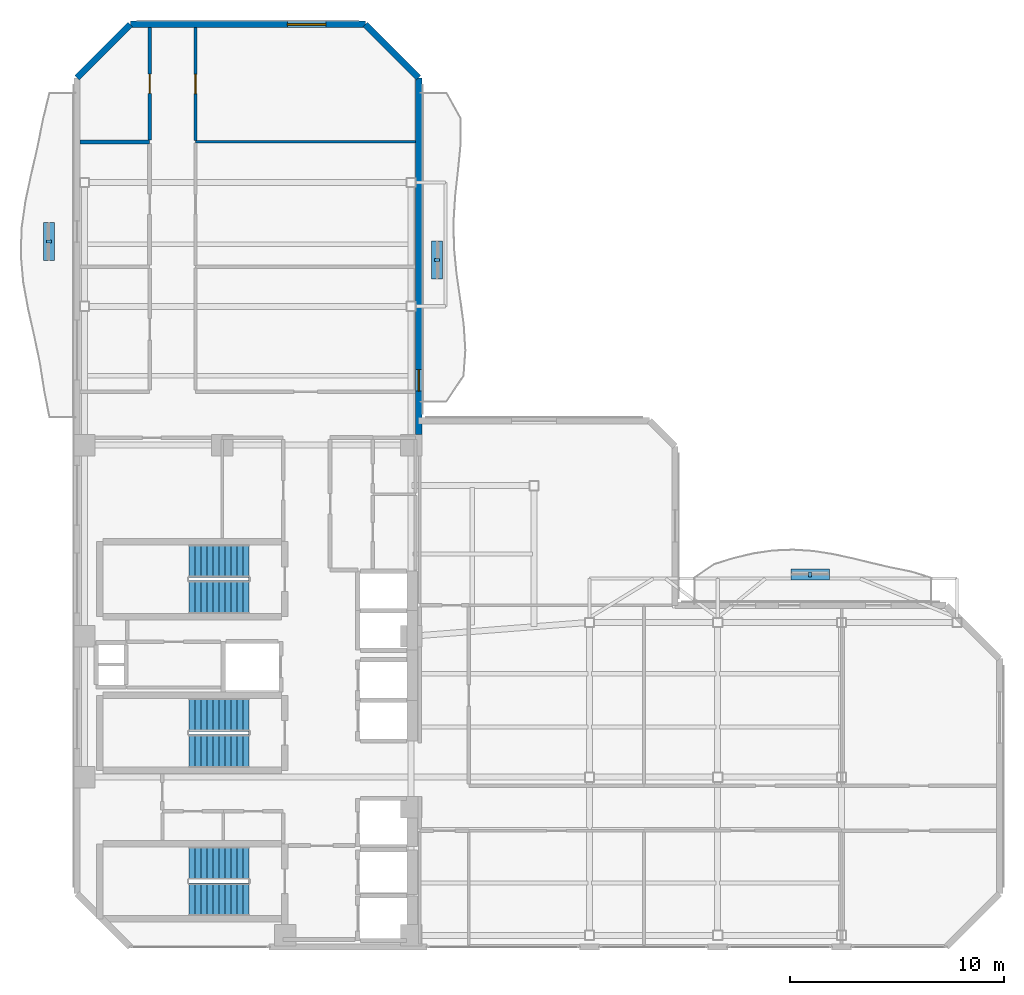
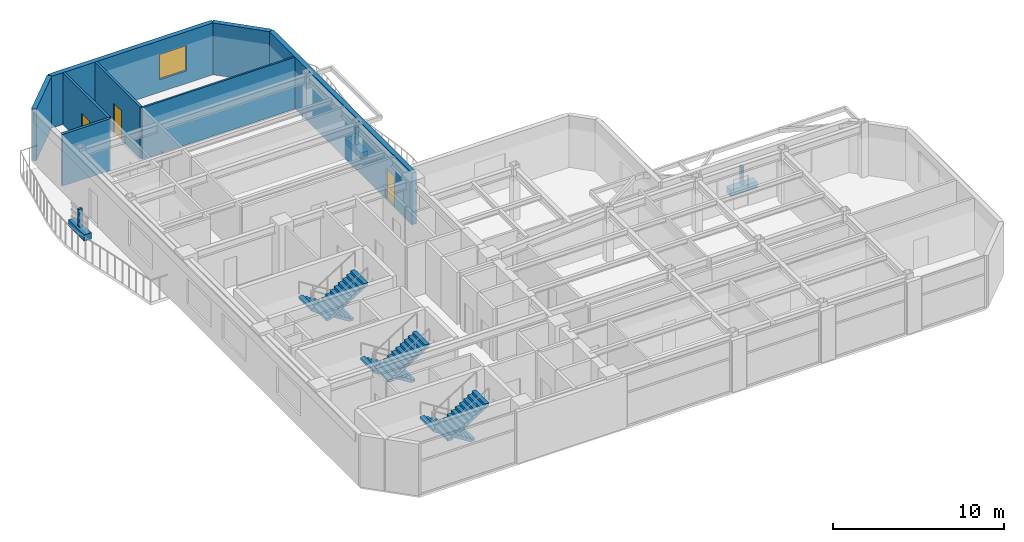
# One storey, part 12 of 17: 8 walls, 6 discrete accessories, 6 stair flights, 3 doors, 1 window, 4 openings, 3 elements without a shape of their own.
"""IFC4 building model written with IfcOpenShell, lengths in metres."""

from ifc_helpers import new_model, si_unit, direction, frame, frame_2d, origin, origin_2d, place, context, subcontext, project, spatial, polyline, rectangle, outline, extrude, material, layer, layer_set, type_object, element, fill, aggregate, save


model = new_model("IFC4")

# Units and contexts
model_context = context("Model", 3, precision=1e-05, world=origin(), true_north=direction((0.0, 1.0)))
body_context = subcontext(model_context, "Body", "Model", "MODEL_VIEW")
ifc_project = project(units=[si_unit("LENGTHUNIT", "METRE"), si_unit("AREAUNIT", "SQUARE_METRE"), si_unit("VOLUMEUNIT", "CUBIC_METRE"), si_unit("PLANEANGLEUNIT", "RADIAN"), si_unit("MASSUNIT", "GRAM", prefix="KILO")], contexts=[model_context])

# Site, building, storey
site_placement = place(None, origin())
site = spatial("IfcSite", under=ifc_project, at=site_placement, CompositionType="ELEMENT")
building_placement = place(site_placement, origin())
building = spatial("IfcBuilding", under=site, at=building_placement, Name="Mawjaban Terraces University", CompositionType="ELEMENT")
storey_placement = place(building_placement, frame((0.0, 0.0, 183.60009765625)))
storey = spatial("IfcBuildingStorey", under=building, at=storey_placement, Name="L44", CompositionType="ELEMENT", Elevation=183.60009765625)

# Wall
ifc_material_1 = material(Name="Acoustic masonry blockwork", Category="masonry")
ifc_layer_1 = layer(ifc_material_1, 0.179931640625)
ifc_layer_set_1 = layer_set([ifc_layer_1], Name="Acoustic masonry blockwork")
wall_type_1 = type_object("IfcWallType", Name="AcousticStudioWall_180", PredefinedType="PARTITIONING", material=ifc_layer_set_1)
wall_1_placement = place(storey_placement, frame((25.39990234375, 37.699951171875, 0.0), z_axis=(0.0, 0.0, 1.0), x_axis=(-1.0, 0.0, 0.0)))
element("IfcWall", 1, at=wall_1_placement, inside=storey, type_object=wall_type_1, Name="L44 Design Studio 10 Partition 5", PredefinedType="PARTITIONING", context=body_context, shape_type="SweptSolid", body=[
    extrude(rectangle(XDim=3.2548828125, YDim=0.179931640625, at=frame_2d((1.62744140625, 0.0))), origin(), (0.0, 0.0, 1.0), 3.68994140625),
])

# Wall, opening, door
ifc_material_2 = material(Name="Fire-rated gypsum board on steel stud", Category="steel")
ifc_layer_2 = layer(ifc_material_2, 0.159912109375)
ifc_layer_set_2 = layer_set([ifc_layer_2], Name="Fire-rated gypsum board on steel stud")
wall_type_2 = type_object("IfcWallType", Name="CorridorPartition_160", PredefinedType="PARTITIONING", material=ifc_layer_set_2)
wall_2_placement = place(storey_placement, frame((25.39990234375, 43.054931640625, 0.0), z_axis=(0.0, 0.0, 1.0), x_axis=(0.0, -1.0, 0.0)))
wall_2 = element("IfcWall", 2, at=wall_2_placement, inside=storey, type_object=wall_type_2, Name="L44 West Shifted Academic Corridor Partition 32", PredefinedType="PARTITIONING", context=body_context, shape_type="SweptSolid", body=[
    extrude(rectangle(XDim=5.27001953125, YDim=0.159912109375, at=frame_2d((2.635009765625, 0.0))), origin(), (0.0, 0.0, 1.0), 3.68994140625),
])
opening_1_placement = place(wall_2_placement, frame((2.18505859375, 0.0, 0.0)))
opening_1 = element("IfcOpeningElement", 3, at=opening_1_placement, cuts=wall_2, Name="Opening ID-090", PredefinedType="OPENING", context=body_context, shape_type="SweptSolid", body=[
    extrude(rectangle(XDim=0.89990234375, YDim=2.10009765625, at=frame_2d((0.449951171875, 1.050048828125))), frame((0.0, 0.08984375, 0.0), z_axis=(0.0, -1.0, 0.0), x_axis=(1.0, 0.0, 0.0)), (0.0, 0.0, 1.0), 0.179931640625),
])
ifc_material_3 = material(Name="Powder-coated steel frame and solid acoustic timber leaf", Category="steel")
door_type_1 = type_object("IfcDoorType", Name="OfficeDoor_900x2100", OperationType="NOTDEFINED", PredefinedType="DOOR", material=ifc_material_3)
door_1_placement = place(opening_1_placement, origin())
door_1 = element("IfcDoor", 4, at=door_1_placement, inside=storey, type_object=door_type_1, Name="L44 Quiet Reading Room 12 Door", OperationType="SINGLE_SWING_LEFT", OverallHeight=2.10009765625, OverallWidth=0.89990234375, PredefinedType="DOOR", context=body_context, shape_type="SweptSolid", body=[
    extrude(rectangle(XDim=0.89990234375, YDim=2.10009765625, at=frame_2d((0.449951171875, 1.050048828125))), frame((0.0, 0.02490234375, 0.0), z_axis=(0.0, -1.0, 0.0), x_axis=(1.0, 0.0, 0.0)), (0.0, 0.0, 1.0), 0.050048828125),
])
fill(opening_1, door_1)

wall_3_placement = place(storey_placement, frame((27.550048828125, 37.758056640625, 0.0), z_axis=(0.0, 0.0, 1.0), x_axis=(0.0, 1.0, 0.0)))
wall_3 = element("IfcWall", 5, at=wall_3_placement, inside=storey, type_object=wall_type_2, Name="L44 West Shifted Academic Corridor Partition 37", PredefinedType="PARTITIONING", context=body_context, shape_type="SweptSolid", body=[
    extrude(rectangle(XDim=5.296875, YDim=0.159912109375, at=frame_2d((2.6484375, 0.0))), origin(), (0.0, 0.0, 1.0), 3.68994140625),
])
opening_2_placement = place(wall_3_placement, frame((2.197998046875, 0.0, 0.0)))
opening_2 = element("IfcOpeningElement", 6, at=opening_2_placement, cuts=wall_3, Name="Opening ID-090", PredefinedType="OPENING", context=body_context, shape_type="SweptSolid", body=[
    extrude(rectangle(XDim=0.89990234375, YDim=2.10009765625, at=frame_2d((0.449951171875, 1.050048828125))), frame((0.0, 0.08984375, 0.0), z_axis=(0.0, -1.0, 0.0), x_axis=(1.0, 0.0, 0.0)), (0.0, 0.0, 1.0), 0.179931640625),
])
door_2_placement = place(opening_2_placement, origin())
door_2 = element("IfcDoor", 7, at=door_2_placement, inside=storey, type_object=door_type_1, Name="L44 Collaborative Study Room 13 Door", OperationType="SINGLE_SWING_RIGHT", OverallHeight=2.10009765625, OverallWidth=0.89990234375, PredefinedType="DOOR", context=body_context, shape_type="SweptSolid", body=[
    extrude(rectangle(XDim=0.89990234375, YDim=2.10009765625, at=frame_2d((0.449951171875, 1.050048828125))), frame((0.0, 0.02490234375, 0.0), z_axis=(0.0, -1.0, 0.0), x_axis=(1.0, 0.0, 0.0)), (0.0, 0.0, 1.0), 0.050048828125),
])
fill(opening_2, door_2)

ifc_material_4 = material(Name="Insulated terracotta rainscreen on concrete backup C40/50", Category="masonry")
ifc_layer_3 = layer(ifc_material_4, 0.300048828125)
ifc_layer_set_3 = layer_set([ifc_layer_3], Name="Insulated terracotta rainscreen on concrete backup C40/50")
wall_type_3 = type_object("IfcWallType", Name="ExtTerracottaWall_300", PredefinedType="SOLIDWALL", material=ifc_layer_set_3)
wall_4_placement = place(storey_placement, frame((38.0, 24.0, 0.0), z_axis=(0.0, 0.0, 1.0), x_axis=(0.0, 1.0, 0.0)))
wall_4 = element("IfcWall", 8, at=wall_4_placement, inside=storey, type_object=wall_type_3, Name="L44 Exterior Terracotta Wall 9", PredefinedType="SOLIDWALL", context=body_context, shape_type="SweptSolid", body=[
    extrude(rectangle(XDim=16.699951171875, YDim=0.300048828125, at=frame_2d((8.35009765625, 0.0))), origin(), (0.0, 0.0, 1.0), 3.68994140625),
])
opening_3_placement = place(wall_4_placement, frame((2.030029296875, 0.0, 0.0)))
opening_3 = element("IfcOpeningElement", 9, at=opening_3_placement, cuts=wall_4, Name="Opening BD-100", PredefinedType="OPENING", context=body_context, shape_type="SweptSolid", body=[
    extrude(rectangle(XDim=1.0, YDim=2.199951171875, at=frame_2d((0.5, 1.10009765625))), frame((0.0, 0.159912109375, 0.0), z_axis=(0.0, -1.0, 0.0), x_axis=(1.0, 0.0, 0.0)), (0.0, 0.0, 1.0), 0.320068359375),
])
ifc_material_5 = material(Name="Thermally broken anodised aluminium and laminated safety glass", Category="aluminium")
door_type_2 = type_object("IfcDoorType", Name="BalconyGlazedDoor_1000x2200", OperationType="NOTDEFINED", PredefinedType="DOOR", material=ifc_material_5)
door_3_placement = place(opening_3_placement, origin())
door_3 = element("IfcDoor", 10, at=door_3_placement, inside=storey, type_object=door_type_2, Name="L44 Balcony Access Door inner_east", OperationType="SINGLE_SWING_LEFT", OverallHeight=2.199951171875, OverallWidth=1.0, PredefinedType="DOOR", context=body_context, shape_type="SweptSolid", body=[
    extrude(rectangle(XDim=1.0, YDim=2.199951171875, at=frame_2d((0.5, 1.10009765625))), frame((0.0, 0.02490234375, 0.0), z_axis=(0.0, -1.0, 0.0), x_axis=(1.0, 0.0, 0.0)), (0.0, 0.0, 1.0), 0.050048828125),
])
fill(opening_3, door_3)

# Wall
wall_5_placement = place(storey_placement, frame((38.0, 40.699951171875, 0.0), z_axis=(0.0, 0.0, 1.0), x_axis=(-0.707106781187, 0.707106781187, 0.0)))
element("IfcWall", 11, at=wall_5_placement, inside=storey, type_object=wall_type_3, Name="L44 Exterior Terracotta Wall 10", PredefinedType="SOLIDWALL", context=body_context, shape_type="SweptSolid", body=[
    extrude(rectangle(XDim=3.53564453125, YDim=0.300048828125, at=frame_2d((1.767822265625, 0.0))), origin(), (0.0, 0.0, 1.0), 3.68994140625),
])

# Wall, opening, window
wall_6_placement = place(storey_placement, frame((35.5, 43.199951171875, 0.0), z_axis=(0.0, 0.0, 1.0), x_axis=(-1.0, 0.0, 0.0)))
wall_6 = element("IfcWall", 12, at=wall_6_placement, inside=storey, type_object=wall_type_3, Name="L44 Exterior Terracotta Wall 11", PredefinedType="SOLIDWALL", context=body_context, shape_type="SweptSolid", body=[
    extrude(rectangle(XDim=11.0, YDim=0.300048828125, at=frame_2d((5.5, 0.0))), origin(), (0.0, 0.0, 1.0), 3.68994140625),
])
opening_4_placement = place(wall_6_placement, frame((1.85009765625, 0.0, 0.89990234375)))
opening_4 = element("IfcOpeningElement", 13, at=opening_4_placement, cuts=wall_6, Name="Opening W-07", PredefinedType="OPENING", context=body_context, shape_type="SweptSolid", body=[
    extrude(rectangle(XDim=1.800048828125, YDim=1.800048828125, at=frame_2d((0.89990234375, 0.89990234375))), frame((0.0, 0.159912109375, 0.0), z_axis=(0.0, -1.0, 0.0), x_axis=(1.0, 0.0, 0.0)), (0.0, 0.0, 1.0), 0.320068359375),
])
ifc_material_6 = material(Name="Low-E solar-control double glazing in thermally broken aluminium frame", Category="aluminium")
window_type = type_object("IfcWindowType", Name="Win_1800x1800", PartitioningType="SINGLE_PANEL", PredefinedType="WINDOW", material=ifc_material_6)
window_placement = place(opening_4_placement, origin())
window = element("IfcWindow", 14, at=window_placement, inside=storey, type_object=window_type, Name="L44 Facade Window 11.1", OverallHeight=1.800048828125, OverallWidth=1.800048828125, PartitioningType="SINGLE_PANEL", PredefinedType="WINDOW", context=body_context, shape_type="SweptSolid", body=[
    extrude(rectangle(XDim=1.800048828125, YDim=1.800048828125, at=frame_2d((0.89990234375, 0.89990234375))), frame((0.0, 0.030029296875, 0.0), z_axis=(0.0, -1.0, 0.0), x_axis=(1.0, 0.0, 0.0)), (0.0, 0.0, 1.0), 0.06005859375),
])
fill(opening_4, window)

# Walls
wall_7_placement = place(storey_placement, frame((24.5, 43.199951171875, 0.0), z_axis=(0.0, 0.0, 1.0), x_axis=(-0.707106781187, -0.707106781187, 0.0)))
element("IfcWall", 15, at=wall_7_placement, inside=storey, type_object=wall_type_3, Name="L44 Exterior Terracotta Wall 12", PredefinedType="SOLIDWALL", context=body_context, shape_type="SweptSolid", body=[
    extrude(rectangle(XDim=3.53564453125, YDim=0.300048828125, at=frame_2d((1.767822265625, 0.0))), origin(), (0.0, 0.0, 1.0), 3.68994140625),
])
ifc_material_7 = material(Name="Gypsum plasterboard on steel stud", Category="steel")
ifc_layer_4 = layer(ifc_material_7, 0.125)
ifc_layer_set_4 = layer_set([ifc_layer_4], Name="Gypsum plasterboard on steel stud")
wall_type_4 = type_object("IfcWallType", Name="OfficePartition_125", PredefinedType="PARTITIONING", material=ifc_layer_set_4)
wall_8_placement = place(storey_placement, frame((37.85009765625, 37.699951171875, 0.0), z_axis=(0.0, 0.0, 1.0), x_axis=(-1.0, 0.0, 0.0)))
element("IfcWall", 16, at=wall_8_placement, inside=storey, type_object=wall_type_4, Name="L44 Faculty Office 11 Partition 18", PredefinedType="PARTITIONING", context=body_context, shape_type="SweptSolid", body=[
    extrude(rectangle(XDim=10.300048828125, YDim=0.125, at=frame_2d((5.14990234375, 0.0))), origin(), (0.0, 0.0, 1.0), 3.68994140625),
])

# Stair, stair flights
ifc_material_8 = material(Name="Concrete C40/50", Category="concrete")
stair_type = type_object("IfcStairType", Name="Stair_Core1550_H39", PredefinedType="HALF_TURN_STAIR", material=ifc_material_8)
stair_1_placement = place(storey_placement, origin())
stair_1 = element("IfcStair", 17, at=stair_1_placement, inside=storey, type_object=stair_type, Name="L44 Core Exit Stair 1", PredefinedType="HALF_TURN_STAIR")
stair_flight_type = type_object("IfcStairFlightType", Name="Flight_Core1550_H39", PredefinedType="STRAIGHT", material=ifc_material_8)
stair_flight_1_placement = place(storey_placement, frame((30.050048828125, 3.925048828125, 0.0), z_axis=(0.0, 0.0, 1.0), x_axis=(-1.0, 0.0, 0.0)))
stair_flight_1 = element("IfcStairFlight", 18, at=stair_flight_1_placement, type_object=stair_flight_type, Name="ST-1 flight 1", NumberOfRisers=11, NumberOfTreads=10, PredefinedType="STRAIGHT", RiserHeight=0.177272727, TreadLength=0.28, context=body_context, shape_type="SweptSolid", body=[
    extrude(outline(polyline([(0.0, 0.0), (0.0, 0.17724609375), (0.280029296875, 0.17724609375), (0.280029296875, 0.3544921875), (0.56005859375, 0.3544921875), (0.56005859375, 0.53173828125), (0.840087890625, 0.53173828125), (0.840087890625, 0.708984375), (1.1201171875, 0.708984375), (1.1201171875, 0.886474609375), (1.39990234375, 0.886474609375), (1.39990234375, 1.063720703125), (1.679931640625, 1.063720703125), (1.679931640625, 1.240966796875), (1.9599609375, 1.240966796875), (1.9599609375, 1.418212890625), (2.239990234375, 1.418212890625), (2.239990234375, 1.595458984375), (2.52001953125, 1.595458984375), (2.52001953125, 1.772705078125), (2.800048828125, 1.772705078125), (2.800048828125, 1.949951171875), (2.800048828125, 1.59521484375), (0.2802734375, 0.0), (0.0, 0.0)])), frame((0.0, 0.77490234375, 0.0), z_axis=(0.0, -1.0, 0.0), x_axis=(1.0, 0.0, 0.0)), (0.0, 0.0, 1.0), 1.550048828125),
])
stair_flight_2_placement = place(storey_placement, frame((27.25, 2.22509765625, 1.949951171875), z_axis=(0.0, 0.0, 1.0), x_axis=(1.0, 0.0, 0.0)))
stair_flight_2 = element("IfcStairFlight", 19, at=stair_flight_2_placement, type_object=stair_flight_type, Name="ST-1 flight 2", NumberOfRisers=11, NumberOfTreads=10, PredefinedType="STRAIGHT", RiserHeight=0.177272727, TreadLength=0.28, context=body_context, shape_type="SweptSolid", body=[
    extrude(outline(polyline([(0.0, 0.0), (0.0, 0.17724609375), (0.280029296875, 0.17724609375), (0.280029296875, 0.3544921875), (0.56005859375, 0.3544921875), (0.56005859375, 0.53173828125), (0.840087890625, 0.53173828125), (0.840087890625, 0.708984375), (1.1201171875, 0.708984375), (1.1201171875, 0.886474609375), (1.39990234375, 0.886474609375), (1.39990234375, 1.063720703125), (1.679931640625, 1.063720703125), (1.679931640625, 1.240966796875), (1.9599609375, 1.240966796875), (1.9599609375, 1.418212890625), (2.239990234375, 1.418212890625), (2.239990234375, 1.595458984375), (2.52001953125, 1.595458984375), (2.52001953125, 1.772705078125), (2.800048828125, 1.772705078125), (2.800048828125, 1.949951171875), (2.800048828125, 1.59521484375), (0.2802734375, 0.0), (0.0, 0.0)])), frame((0.0, 0.77490234375, 0.0), z_axis=(0.0, -1.0, 0.0), x_axis=(1.0, 0.0, 0.0)), (0.0, 0.0, 1.0), 1.550048828125),
])
aggregate(stair_1, [stair_flight_1, stair_flight_2])

stair_2_placement = place(storey_placement, origin())
stair_2 = element("IfcStair", 20, at=stair_2_placement, inside=storey, type_object=stair_type, Name="L44 Core Exit Stair 2", PredefinedType="HALF_TURN_STAIR")
stair_flight_3_placement = place(storey_placement, frame((30.050048828125, 18.074951171875, 0.0), z_axis=(0.0, 0.0, 1.0), x_axis=(-1.0, 0.0, 0.0)))
stair_flight_3 = element("IfcStairFlight", 21, at=stair_flight_3_placement, type_object=stair_flight_type, Name="ST-2 flight 1", NumberOfRisers=11, NumberOfTreads=10, PredefinedType="STRAIGHT", RiserHeight=0.177272727, TreadLength=0.28, context=body_context, shape_type="SweptSolid", body=[
    extrude(outline(polyline([(0.0, 0.0), (0.0, 0.17724609375), (0.280029296875, 0.17724609375), (0.280029296875, 0.3544921875), (0.56005859375, 0.3544921875), (0.56005859375, 0.53173828125), (0.840087890625, 0.53173828125), (0.840087890625, 0.708984375), (1.1201171875, 0.708984375), (1.1201171875, 0.886474609375), (1.39990234375, 0.886474609375), (1.39990234375, 1.063720703125), (1.679931640625, 1.063720703125), (1.679931640625, 1.240966796875), (1.9599609375, 1.240966796875), (1.9599609375, 1.418212890625), (2.239990234375, 1.418212890625), (2.239990234375, 1.595458984375), (2.52001953125, 1.595458984375), (2.52001953125, 1.772705078125), (2.800048828125, 1.772705078125), (2.800048828125, 1.949951171875), (2.800048828125, 1.59521484375), (0.2802734375, 0.0), (0.0, 0.0)])), frame((0.0, 0.77490234375, 0.0), z_axis=(0.0, -1.0, 0.0), x_axis=(1.0, 0.0, 0.0)), (0.0, 0.0, 1.0), 1.550048828125),
])
stair_flight_4_placement = place(storey_placement, frame((27.25, 16.375, 1.949951171875), z_axis=(0.0, 0.0, 1.0), x_axis=(1.0, 0.0, 0.0)))
stair_flight_4 = element("IfcStairFlight", 22, at=stair_flight_4_placement, type_object=stair_flight_type, Name="ST-2 flight 2", NumberOfRisers=11, NumberOfTreads=10, PredefinedType="STRAIGHT", RiserHeight=0.177272727, TreadLength=0.28, context=body_context, shape_type="SweptSolid", body=[
    extrude(outline(polyline([(0.0, 0.0), (0.0, 0.17724609375), (0.280029296875, 0.17724609375), (0.280029296875, 0.3544921875), (0.56005859375, 0.3544921875), (0.56005859375, 0.53173828125), (0.840087890625, 0.53173828125), (0.840087890625, 0.708984375), (1.1201171875, 0.708984375), (1.1201171875, 0.886474609375), (1.39990234375, 0.886474609375), (1.39990234375, 1.063720703125), (1.679931640625, 1.063720703125), (1.679931640625, 1.240966796875), (1.9599609375, 1.240966796875), (1.9599609375, 1.418212890625), (2.239990234375, 1.418212890625), (2.239990234375, 1.595458984375), (2.52001953125, 1.595458984375), (2.52001953125, 1.772705078125), (2.800048828125, 1.772705078125), (2.800048828125, 1.949951171875), (2.800048828125, 1.59521484375), (0.2802734375, 0.0), (0.0, 0.0)])), frame((0.0, 0.77490234375, 0.0), z_axis=(0.0, -1.0, 0.0), x_axis=(1.0, 0.0, 0.0)), (0.0, 0.0, 1.0), 1.550048828125),
])
aggregate(stair_2, [stair_flight_3, stair_flight_4])

stair_3_placement = place(storey_placement, origin())
stair_3 = element("IfcStair", 23, at=stair_3_placement, inside=storey, type_object=stair_type, Name="L44 Core Exit Stair 3", PredefinedType="HALF_TURN_STAIR")
stair_flight_5_placement = place(storey_placement, frame((30.050048828125, 10.875, 0.0), z_axis=(0.0, 0.0, 1.0), x_axis=(-1.0, 0.0, 0.0)))
stair_flight_5 = element("IfcStairFlight", 24, at=stair_flight_5_placement, type_object=stair_flight_type, Name="ST-3 flight 1", NumberOfRisers=11, NumberOfTreads=10, PredefinedType="STRAIGHT", RiserHeight=0.177272727, TreadLength=0.28, context=body_context, shape_type="SweptSolid", body=[
    extrude(outline(polyline([(0.0, 0.0), (0.0, 0.17724609375), (0.280029296875, 0.17724609375), (0.280029296875, 0.3544921875), (0.56005859375, 0.3544921875), (0.56005859375, 0.53173828125), (0.840087890625, 0.53173828125), (0.840087890625, 0.708984375), (1.1201171875, 0.708984375), (1.1201171875, 0.886474609375), (1.39990234375, 0.886474609375), (1.39990234375, 1.063720703125), (1.679931640625, 1.063720703125), (1.679931640625, 1.240966796875), (1.9599609375, 1.240966796875), (1.9599609375, 1.418212890625), (2.239990234375, 1.418212890625), (2.239990234375, 1.595458984375), (2.52001953125, 1.595458984375), (2.52001953125, 1.772705078125), (2.800048828125, 1.772705078125), (2.800048828125, 1.949951171875), (2.800048828125, 1.59521484375), (0.2802734375, 0.0), (0.0, 0.0)])), frame((0.0, 0.77490234375, 0.0), z_axis=(0.0, -1.0, 0.0), x_axis=(1.0, 0.0, 0.0)), (0.0, 0.0, 1.0), 1.550048828125),
])
stair_flight_6_placement = place(storey_placement, frame((27.25, 9.175048828125, 1.949951171875), z_axis=(0.0, 0.0, 1.0), x_axis=(1.0, 0.0, 0.0)))
stair_flight_6 = element("IfcStairFlight", 25, at=stair_flight_6_placement, type_object=stair_flight_type, Name="ST-3 flight 2", NumberOfRisers=11, NumberOfTreads=10, PredefinedType="STRAIGHT", RiserHeight=0.177272727, TreadLength=0.28, context=body_context, shape_type="SweptSolid", body=[
    extrude(outline(polyline([(0.0, 0.0), (0.0, 0.17724609375), (0.280029296875, 0.17724609375), (0.280029296875, 0.3544921875), (0.56005859375, 0.3544921875), (0.56005859375, 0.53173828125), (0.840087890625, 0.53173828125), (0.840087890625, 0.708984375), (1.1201171875, 0.708984375), (1.1201171875, 0.886474609375), (1.39990234375, 0.886474609375), (1.39990234375, 1.063720703125), (1.679931640625, 1.063720703125), (1.679931640625, 1.240966796875), (1.9599609375, 1.240966796875), (1.9599609375, 1.418212890625), (2.239990234375, 1.418212890625), (2.239990234375, 1.595458984375), (2.52001953125, 1.595458984375), (2.52001953125, 1.772705078125), (2.800048828125, 1.772705078125), (2.800048828125, 1.949951171875), (2.800048828125, 1.59521484375), (0.2802734375, 0.0), (0.0, 0.0)])), frame((0.0, 0.77490234375, 0.0), z_axis=(0.0, -1.0, 0.0), x_axis=(1.0, 0.0, 0.0)), (0.0, 0.0, 1.0), 1.550048828125),
])
aggregate(stair_3, [stair_flight_5, stair_flight_6])

# Discrete accessories
ifc_material_9 = material(Name="Stainless steel 316L", Category="steel")
discrete_accessory_type_1 = type_object("IfcDiscreteAccessoryType", Name="FacadeScreenBracket_Steel", PredefinedType="BRACKET", material=ifc_material_9)
for number, where, z_axis, x_axis, name in (
    (26, (20.693115234375, 33.033935546875, 0.419921875), (0.0, 0.0, 1.0), (0.0, 1.0, 0.0), "L44 Balcony Screen Support Bracket west"),
    (27, (56.322998046875, 17.444091796875, 0.419921875), (0.0, 0.0, 1.0), (1.0, 0.0, 0.0), "L44 Balcony Screen Support Bracket inner_north"),
    (28, (38.85400390625, 32.16796875, 0.419921875), (0.0, 0.0, 1.0), (0.0, 1.0, 0.0), "L44 Balcony Screen Support Bracket inner_east"),
):
    element("IfcDiscreteAccessory", number, at=place(storey_placement, frame(where, z_axis=z_axis, x_axis=x_axis)), inside=storey, type_object=discrete_accessory_type_1, Name=name, PredefinedType="BRACKET", context=body_context, shape_type="SweptSolid", body=[
        extrude(rectangle(XDim=0.159912109375, YDim=0.239990234375, at=origin_2d()), origin(), (0.0, 0.0, 1.0), 1.300048828125),
    ])
ifc_material_10 = material(Name="Precast architectural terracotta planter with engineered planting soil", Category="masonry")
discrete_accessory_type_2 = type_object("IfcDiscreteAccessoryType", Name="IrrigatedPlanterTrough_450", PredefinedType="USERDEFINED", material=ifc_material_10)
for number, where, z_axis, x_axis, name in (
    (29, (20.693115234375, 33.033935546875, -0.0048828125), (0.0, 0.0, 1.0), (0.0, 1.0, 0.0), "L44 Balcony Irrigated Planter west"),
    (30, (56.322998046875, 17.444091796875, -0.0048828125), (0.0, 0.0, 1.0), (1.0, 0.0, 0.0), "L44 Balcony Irrigated Planter inner_north"),
    (31, (38.85400390625, 32.16796875, -0.0048828125), (0.0, 0.0, 1.0), (0.0, 1.0, 0.0), "L44 Balcony Irrigated Planter inner_east"),
):
    element("IfcDiscreteAccessory", number, at=place(storey_placement, frame(where, z_axis=z_axis, x_axis=x_axis)), inside=storey, type_object=discrete_accessory_type_2, Name=name, ObjectType="PLANTER", PredefinedType="USERDEFINED", context=body_context, shape_type="SweptSolid", body=[
        extrude(rectangle(XDim=1.800048828125, YDim=0.5, at=origin_2d()), origin(), (0.0, 0.0, 1.0), 0.449951171875),
    ])

save(model, "model.ifc")
